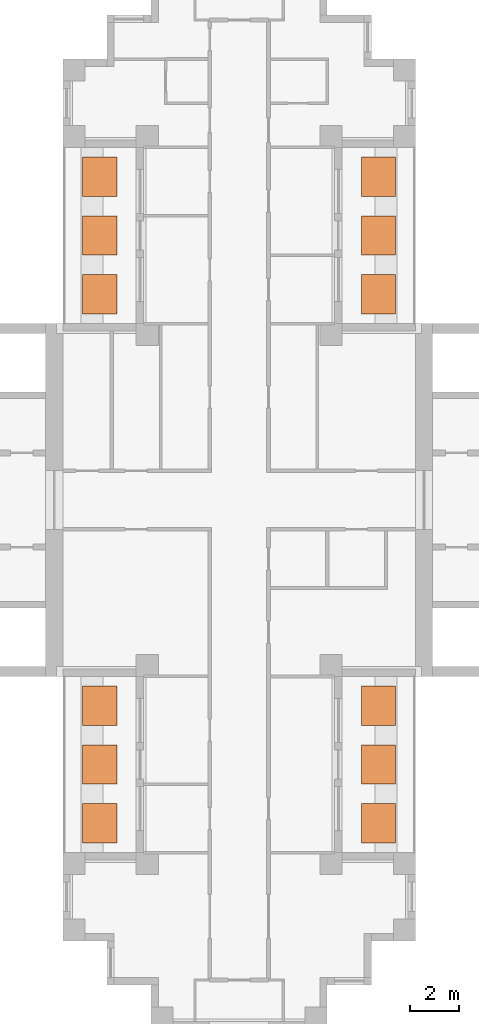
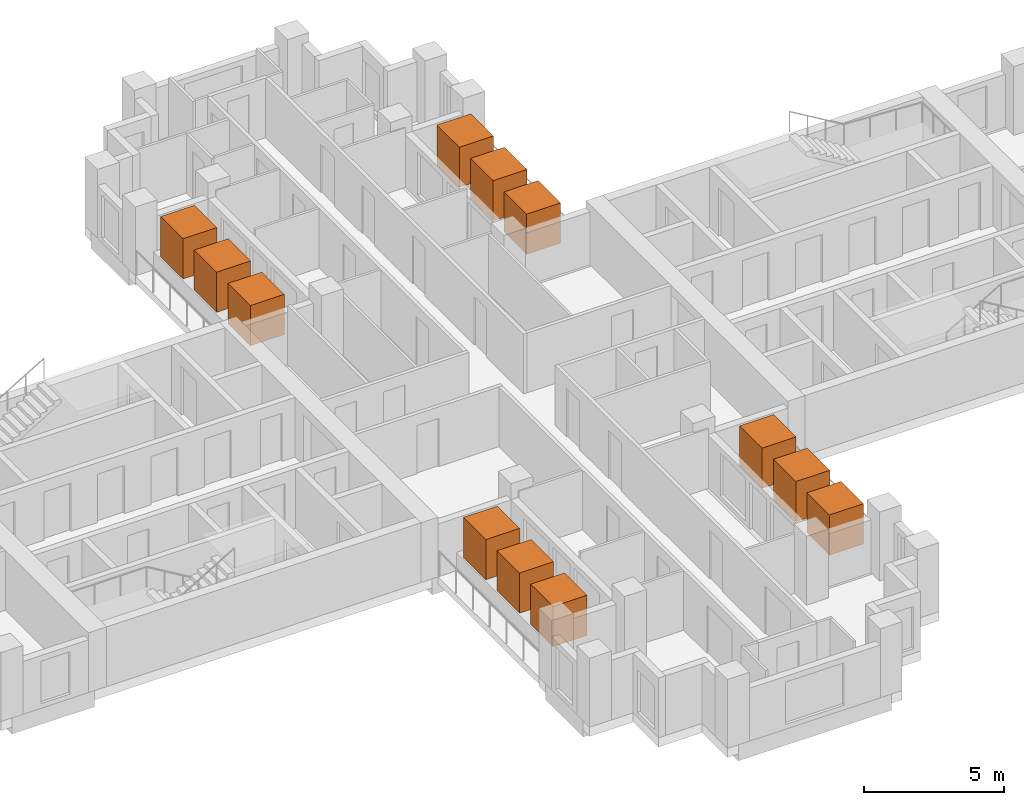
# One storey, part 10 of 10: 12 geographic elements.
"""IFC4 building model written with IfcOpenShell, lengths in metres."""

import ifcopenshell
import ifcopenshell.guid

model = None  # the IFC model being written
_history = None  # IfcOwnerHistory: only IFC2X3 demands one
_inside = {}  # id of a spatial element -> (the spatial element, [elements in it])
_under = {}  # id of a project, library or spatial element -> (it, [spatial elements below it])
_declared = {}  # id of a project -> (the project, [libraries it declares])
_typed = {}  # id of a type object -> (the type object, [elements of that type])
_made_of = {}  # id of a material, layer set ... -> (it, [elements and type objects made of it])


def new_model(schema):
    """Start an empty IFC model of exactly this schema.

    Asked for "IFC4X3", IfcOpenShell would pick the latest addendum, in which some entities
    have other attributes; the version numbers below select the first issue.
    IFC2X3 requires an IfcOwnerHistory on every rooted entity: one is made here for all.
    """
    global model, _history
    if schema == "IFC4X3":
        model = ifcopenshell.file(schema_version=(4, 3, 0, 0))
    else:
        model = ifcopenshell.file(schema=schema)
    _inside.clear()
    _under.clear()
    _declared.clear()
    _typed.clear()
    _made_of.clear()
    _history = None
    if model.schema == "IFC2X3":
        org = make("IfcOrganization", Name="unknown")
        user = make(
            "IfcPersonAndOrganization",
            ThePerson=make("IfcPerson", FamilyName="unknown"),
            TheOrganization=org,
        )
        app = make(
            "IfcApplication",
            ApplicationDeveloper=org,
            Version="unknown",
            ApplicationFullName="unknown",
            ApplicationIdentifier="unknown",
        )
        _history = make(
            "IfcOwnerHistory",
            OwningUser=user,
            OwningApplication=app,
            ChangeAction="ADDED",
            CreationDate=0,
        )
    return model


def make(cls, **values):
    """One entity of the class cls with the attributes given. An attribute that is None is left unset."""
    return model.create_entity(
        cls, **{name: value for name, value in values.items() if value is not None}
    )


def rooted(cls, **values):
    """An entity with a GlobalId (a new one), such as an element, a storey or a relation."""
    return make(cls, GlobalId=ifcopenshell.guid.new(), OwnerHistory=_history, **values)


def si_unit(unit_type, name, prefix=None):
    """IfcSIUnit, for example si_unit("LENGTHUNIT", "METRE", prefix="MILLI")."""
    return make("IfcSIUnit", UnitType=unit_type, Prefix=prefix, Name=name)


def assignment(units):
    """IfcUnitAssignment: the units of a project."""
    return None if units is None else make("IfcUnitAssignment", Units=units)


def point(xyz):
    """IfcCartesianPoint."""
    return None if xyz is None else make("IfcCartesianPoint", Coordinates=xyz)


def direction(xyz):
    """IfcDirection."""
    return None if xyz is None else make("IfcDirection", DirectionRatios=xyz)


def frame(location, z_axis=None, x_axis=None):
    """IfcAxis2Placement3D, a coordinate frame: its origin and axes. An axis left out is left unset."""
    return make(
        "IfcAxis2Placement3D",
        Location=point(location),
        Axis=direction(z_axis),
        RefDirection=direction(x_axis),
    )


def frame_2d(location, x_axis=None):
    """IfcAxis2Placement2D, a coordinate frame in the plane: its origin and x axis."""
    return make(
        "IfcAxis2Placement2D", Location=point(location), RefDirection=direction(x_axis)
    )


def origin():
    """The frame at (0, 0, 0) with its axes left unset."""
    return frame((0.0, 0.0, 0.0))


def origin_2d():
    """The frame at (0, 0) in the plane with its x axis left unset."""
    return frame_2d((0.0, 0.0))


def place(relative_to, where):
    """IfcLocalPlacement: puts the frame where relative to a parent placement (None: the world)."""
    return make(
        "IfcLocalPlacement", PlacementRelTo=relative_to, RelativePlacement=where
    )


def context(
    kind, dimensions, precision=None, world=None, true_north=None, identifier=None
):
    """IfcGeometricRepresentationContext, for example the 3D "Model" context."""
    return make(
        "IfcGeometricRepresentationContext",
        ContextIdentifier=identifier,
        ContextType=kind,
        CoordinateSpaceDimension=dimensions,
        Precision=precision,
        WorldCoordinateSystem=world,
        TrueNorth=true_north,
    )


def subcontext(parent, identifier, kind, view, scale=None):
    """IfcGeometricRepresentationSubContext, for example "Body" below "Model"."""
    return make(
        "IfcGeometricRepresentationSubContext",
        ContextIdentifier=identifier,
        ContextType=kind,
        ParentContext=parent,
        TargetScale=scale,
        TargetView=view,
    )


def project(units=None, contexts=None):
    """IfcProject with its units and contexts."""
    return rooted(
        "IfcProject",
        Name="project",
        RepresentationContexts=contexts,
        UnitsInContext=assignment(units),
    )


def spatial(cls, under=None, at=None, **own):
    """A site, building, storey or space (cls), placed at a placement, below another one or the project."""
    s = rooted(cls, ObjectPlacement=at, **own)
    if under is not None:
        _under.setdefault(under.id(), (under, []))[1].append(s)
    return s


def profile(cls, at=None, kind="AREA", **sizes):
    """A parametric profile (cls). Its sizes go by their IFC names, for example OverallWidth=200.0."""
    return make(cls, ProfileType=kind, Position=at, **sizes)


def rectangle(**sizes):
    """IfcRectangleProfileDef."""
    return profile("IfcRectangleProfileDef", **sizes)


def extrude(swept, where, along, depth):
    """IfcExtrudedAreaSolid: the profile swept, set in the frame where, extruded along a direction by depth."""
    return make(
        "IfcExtrudedAreaSolid",
        SweptArea=swept,
        Position=where,
        ExtrudedDirection=direction(along),
        Depth=depth,
    )


def shape(context_of_items, identifier, shape_type, items):
    """IfcShapeRepresentation: the items that make up one representation, for example the "Body"."""
    return make(
        "IfcShapeRepresentation",
        ContextOfItems=context_of_items,
        RepresentationIdentifier=identifier,
        RepresentationType=shape_type,
        Items=items,
    )


def material(Name=None, Category=None):
    """IfcMaterial."""
    return make("IfcMaterial", Name=Name, Category=Category)


def made_of(thing, what):
    """Note that an element or type object is made of a material, layer set ...; save() writes the relation."""
    if what is not None:
        _made_of.setdefault(what.id(), (what, []))[1].append(thing)
    return thing


def element(
    cls,
    number,
    at=None,
    inside=None,
    cuts=None,
    type_object=None,
    material=None,
    context=None,
    identifier="Body",
    shape_type=None,
    held_by="IfcProductDefinitionShape",
    body=None,
    shapes=None,
    **own,
):
    """One element of the class cls, such as IfcWall. Its Tag is "e" and its number.

    at: its placement. inside: the storey or other place that contains it. cuts: it is an
    opening in that element (IfcRelVoidsElement). A single representation is given by context,
    identifier, shape_type and body (its items); several are given by shapes. held_by: the class
    of the entity that holds the representations. save() writes the other relations.
    """
    e = rooted(cls, Tag="e%d" % number, ObjectPlacement=at, **own)
    if body is not None:
        shapes = [shape(context, identifier, shape_type, body)]
    if shapes is not None:
        e.Representation = make(held_by, Representations=shapes)
    if inside is not None:
        _inside.setdefault(inside.id(), (inside, []))[1].append(e)
    if cuts is not None:
        rooted(
            "IfcRelVoidsElement", RelatingBuildingElement=cuts, RelatedOpeningElement=e
        )
    if type_object is not None:
        _typed.setdefault(type_object.id(), (type_object, []))[1].append(e)
    return made_of(e, material)


def aggregate(whole, parts):
    """IfcRelAggregates: a whole, such as a stair, and the parts it consists of."""
    return rooted("IfcRelAggregates", RelatingObject=whole, RelatedObjects=parts)


def save(model, path):
    """Write the relations noted so far, then the file.

    IfcRelAggregates (storeys below a building ...), IfcRelContainedInSpatialStructure (elements
    in a storey), IfcRelDefinesByType, IfcRelAssociatesMaterial and IfcRelDeclares: one each for
    every whole, place, type object, material and project.
    """
    for whole, parts in _under.values():
        aggregate(whole, parts)
    for where, things in _inside.values():
        rooted(
            "IfcRelContainedInSpatialStructure",
            RelatedElements=things,
            RelatingStructure=where,
        )
    for kind, things in _typed.values():
        rooted("IfcRelDefinesByType", RelatedObjects=things, RelatingType=kind)
    for what, things in _made_of.values():
        rooted("IfcRelAssociatesMaterial", RelatedObjects=things, RelatingMaterial=what)
    for by, libraries in _declared.values():
        rooted("IfcRelDeclares", RelatingContext=by, RelatedDefinitions=libraries)
    model.write(path)


model = new_model("IFC4")

# Units and contexts
model_context = context("Model", 3, precision=1e-05, world=origin(), true_north=direction((0.0, 1.0)))
body_context = subcontext(model_context, "Body", "Model", "MODEL_VIEW")
ifc_project = project(units=[si_unit("LENGTHUNIT", "METRE"), si_unit("AREAUNIT", "SQUARE_METRE"), si_unit("VOLUMEUNIT", "CUBIC_METRE"), si_unit("PLANEANGLEUNIT", "RADIAN"), si_unit("MASSUNIT", "GRAM", prefix="KILO")], contexts=[model_context])

# Site, building, storey
site_placement = place(None, origin())
site = spatial("IfcSite", under=ifc_project, at=site_placement, CompositionType="ELEMENT")
building_placement = place(site_placement, origin())
building = spatial("IfcBuilding", under=site, at=building_placement, Name="Fustian Cross Tower", CompositionType="ELEMENT")
storey_placement = place(building_placement, frame((0.0, 0.0, 213.89990234375)))
storey = spatial("IfcBuildingStorey", under=building, at=storey_placement, Name="L67", CompositionType="ELEMENT", Elevation=213.89990234375)

# Geographic elements
ifc_material = material(Name="Evergreen foliage")
for number, where, z_axis, x_axis, name in (
    (1, (5.68994140625, 8.39990234375, 0.800048828125), (0.0, 0.0, 1.0), (1.0, 0.0, 0.0), "TREE field maple"),
    (2, (5.68994140625, 10.800048828125, 0.800048828125), (0.0, 0.0, 1.0), (1.0, 0.0, 0.0), "TREE field maple"),
    (3, (5.68994140625, 13.199951171875, 0.800048828125), (0.0, 0.0, 1.0), (1.0, 0.0, 0.0), "TREE field maple"),
    (4, (-5.68994140625, 8.39990234375, 0.800048828125), (0.0, 0.0, 1.0), (1.0, 0.0, 0.0), "TREE field maple"),
    (5, (-5.68994140625, 10.800048828125, 0.800048828125), (0.0, 0.0, 1.0), (1.0, 0.0, 0.0), "TREE field maple"),
    (6, (-5.68994140625, 13.199951171875, 0.800048828125), (0.0, 0.0, 1.0), (1.0, 0.0, 0.0), "TREE field maple"),
    (7, (5.68994140625, -13.199951171875, 0.800048828125), (0.0, 0.0, 1.0), (1.0, 0.0, 0.0), "TREE field maple"),
    (8, (5.68994140625, -10.800048828125, 0.800048828125), (0.0, 0.0, 1.0), (1.0, 0.0, 0.0), "TREE field maple"),
    (9, (5.68994140625, -8.39990234375, 0.800048828125), (0.0, 0.0, 1.0), (1.0, 0.0, 0.0), "TREE field maple"),
    (10, (-5.68994140625, -13.199951171875, 0.800048828125), (0.0, 0.0, 1.0), (1.0, 0.0, 0.0), "TREE field maple"),
    (11, (-5.68994140625, -10.800048828125, 0.800048828125), (0.0, 0.0, 1.0), (1.0, 0.0, 0.0), "TREE field maple"),
    (12, (-5.68994140625, -8.39990234375, 0.800048828125), (0.0, 0.0, 1.0), (1.0, 0.0, 0.0), "TREE field maple"),
):
    element("IfcGeographicElement", number, at=place(storey_placement, frame(where, z_axis=z_axis, x_axis=x_axis)), inside=storey, material=ifc_material, Name=name, ObjectType="VEGETATION", PredefinedType="USERDEFINED", context=body_context, shape_type="SweptSolid", body=[
        extrude(rectangle(XDim=1.39990234375, YDim=1.60009765625, at=origin_2d()), origin(), (0.0, 0.0, 1.0), 1.75),
    ])

save(model, "model.ifc")
